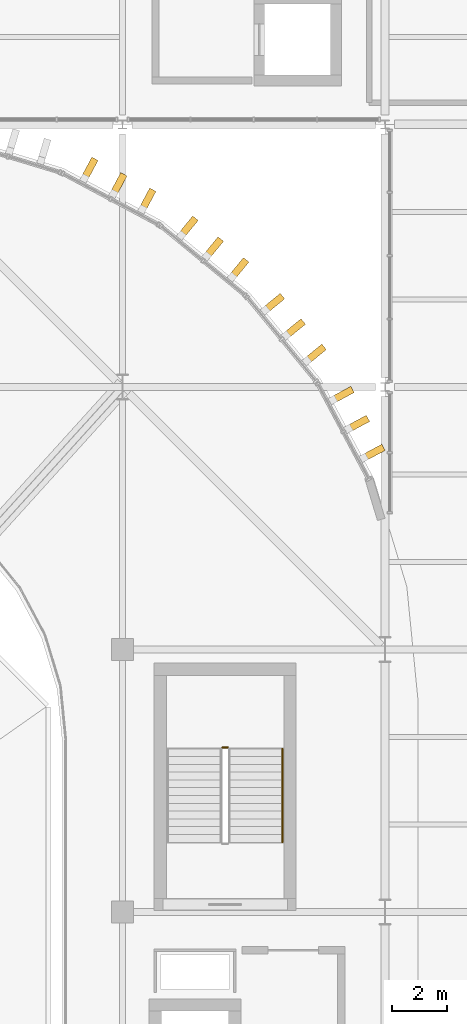
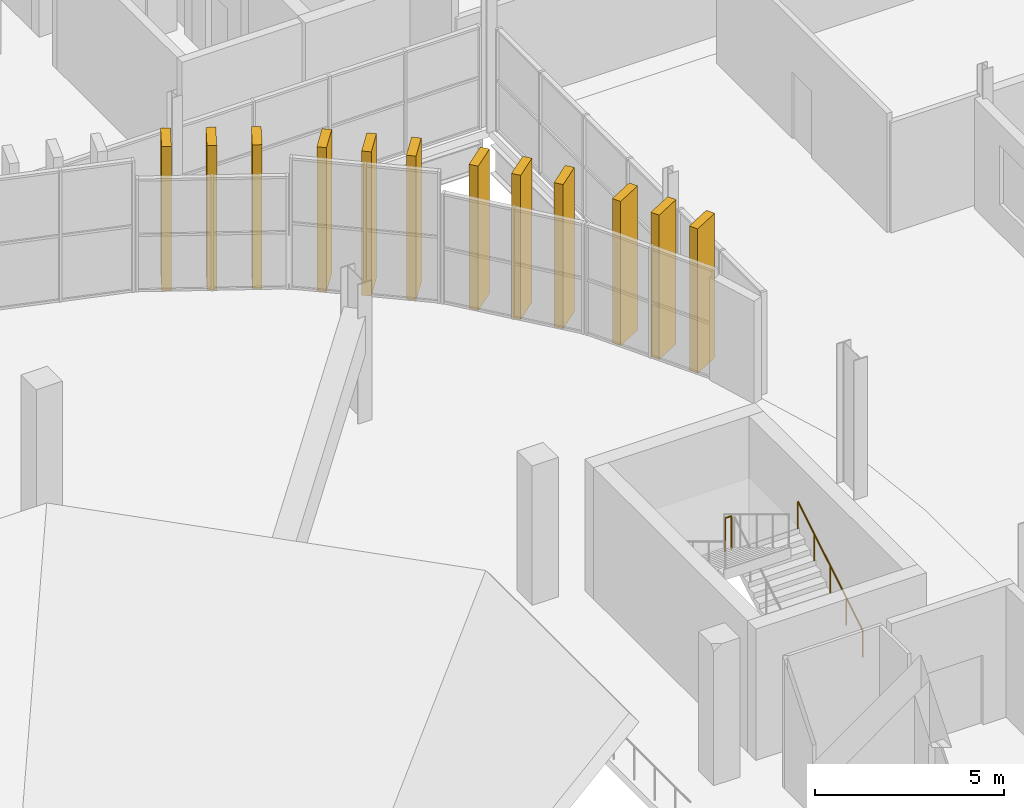
# One storey, part 67 of 69: 12 coverings, 2 railings.
"""IFC4 building model written with IfcOpenShell, lengths in metres."""

from ifc_helpers import new_model, si_unit, direction, frame, origin, origin_2d, place, context, subcontext, project, spatial, rectangle, circle, extrude, material, material_profile, profile_set, type_object, element, save


model = new_model("IFC4")

# Units and contexts
model_context = context("Model", 3, precision=1e-05, world=origin(), true_north=direction((0.0, 1.0)))
body_context = subcontext(model_context, "Body", "Model", "MODEL_VIEW")
ifc_project = project(units=[si_unit("LENGTHUNIT", "METRE"), si_unit("AREAUNIT", "SQUARE_METRE"), si_unit("VOLUMEUNIT", "CUBIC_METRE"), si_unit("PLANEANGLEUNIT", "RADIAN"), si_unit("MASSUNIT", "GRAM", prefix="KILO")], contexts=[model_context])

# Site, building, storey
site_placement = place(None, origin())
site = spatial("IfcSite", under=ifc_project, at=site_placement, CompositionType="ELEMENT")
building_placement = place(site_placement, origin())
building = spatial("IfcBuilding", under=site, at=building_placement, Name="Caelomonte Colonnade Arena", CompositionType="ELEMENT")
storey_placement = place(building_placement, frame((0.0, 0.0, 18.60009765625)))
storey = spatial("IfcBuildingStorey", under=building, at=storey_placement, Name="L04", CompositionType="ELEMENT", Elevation=18.60009765625)

# Coverings
ifc_material_1 = material(Name="Precast travertine cladding", Category="masonry")
ifc_material_profile = material_profile(ifc_material_1, rectangle(XDim=0.260009765625, YDim=0.85009765625, at=origin_2d()), Name="FIN260X850")
ifc_profile_set = profile_set([ifc_material_profile], Name="Precast travertine cladding")
covering_type = type_object("IfcCoveringType", Name="ENV-FN-SHAFT", PredefinedType="CLADDING", material=ifc_profile_set)
for number, where, z_axis, x_axis, name in (
    (1, (162.768310546875, 103.19189453125, -0.16015625), (0.0, 0.0, 1.0), (0.471396736826, -0.881921264348, 0.0), "V1 L04 classical travertine vertical fin 75"),
    (2, (162.202392578125, 104.250244140625, -0.16015625), (0.0, 0.0, 1.0), (0.471396736826, -0.881921264348, 0.0), "V1 L04 classical travertine vertical fin 76"),
    (3, (161.63671875, 105.30859375, -0.16015625), (0.0, 0.0, 1.0), (0.471396736826, -0.881921264348, 0.0), "V1 L04 classical travertine vertical fin 77"),
    (4, (160.641845703125, 106.797607421875, -0.16015625), (0.0, 0.0, 1.0), (0.634413521313, -0.77299384472, 0.0), "V1 L04 classical travertine vertical fin 78"),
    (5, (159.880615234375, 107.72509765625, -0.16015625), (0.0, 0.0, 1.0), (0.634413521313, -0.77299384472, 0.0), "V1 L04 classical travertine vertical fin 79"),
    (6, (159.119140625, 108.65283203125, -0.16015625), (0.0, 0.0, 1.0), (0.634413521313, -0.77299384472, 0.0), "V1 L04 classical travertine vertical fin 80"),
    (7, (157.852783203125, 109.919189453125, -0.16015625), (0.0, 0.0, 1.0), (0.77299384472, -0.634413521313, 0.0), "V1 L04 classical travertine vertical fin 81"),
    (8, (156.92529296875, 110.680419921875, -0.16015625), (0.0, 0.0, 1.0), (0.77299384472, -0.634413521313, 0.0), "V1 L04 classical travertine vertical fin 82"),
    (9, (155.99755859375, 111.44189453125, -0.16015625), (0.0, 0.0, 1.0), (0.77299384472, -0.634413521313, 0.0), "V1 L04 classical travertine vertical fin 83"),
    (10, (154.508544921875, 112.436767578125, -0.16015625), (0.0, 0.0, 1.0), (0.881921264348, -0.471396736826, 0.0), "V1 L04 classical travertine vertical fin 84"),
    (11, (153.4501953125, 113.00244140625, -0.16015625), (0.0, 0.0, 1.0), (0.881921264348, -0.471396736826, 0.0), "V1 L04 classical travertine vertical fin 85"),
    (12, (152.391845703125, 113.568115234375, -0.16015625), (0.0, 0.0, 1.0), (0.881921264348, -0.471396736826, 0.0), "V1 L04 classical travertine vertical fin 86"),
):
    element("IfcCovering", number, at=place(storey_placement, frame(where, z_axis=z_axis, x_axis=x_axis)), inside=storey, type_object=covering_type, Name=name, PredefinedType="CLADDING", context=body_context, shape_type="SweptSolid", body=[
        extrude(rectangle(XDim=0.260009765625, YDim=0.85009765625, at=origin_2d()), origin(), (0.0, 0.0, 1.0), 4.66015625),
    ])

# Railings
ifc_material_2 = material(Name="Painted galvanized steel stair guard", Category="steel")
railing_type_1 = type_object("IfcRailingType", Name="INT-RL-GRD", PredefinedType="GUARDRAIL", material=ifc_material_2)
railing_1_placement = place(storey_placement, frame((157.449951171875, 92.419921875, 2.25)))
element("IfcRailing", 13, at=railing_1_placement, inside=storey, type_object=railing_type_1, Name="L04 ST-03 stair guard 2", PredefinedType="GUARDRAIL", context=body_context, shape_type="SweptSolid", body=[
    extrude(circle(Radius=0.02392578125, at=origin_2d()), frame((0.0, 0.0, 1.076171875), z_axis=(-1.0, 0.0, 0.0), x_axis=(0.0, -1.0, 0.0)), (0.0, 0.0, 1.0), 0.199951171875),
    extrude(circle(Radius=0.02099609375, at=origin_2d()), origin(), (0.0, 0.0, 1.0), 1.048095703125),
    extrude(circle(Radius=0.02099609375, at=origin_2d()), frame((-0.199951171875, 0.0, 0.0)), (0.0, 0.0, 1.0), 1.048095703125),
])
ifc_material_3 = material(Name="Brushed stainless steel stair handrail", Category="steel")
railing_type_2 = type_object("IfcRailingType", Name="INT-RL-HR", PredefinedType="HANDRAIL", material=ifc_material_3)
railing_2_placement = place(storey_placement, frame((159.449951171875, 88.949951171875, 0.173095703125)))
element("IfcRailing", 14, at=railing_2_placement, inside=storey, type_object=railing_type_2, Name="L04 ST-03 stair handrail 1", PredefinedType="HANDRAIL", context=body_context, shape_type="SweptSolid", body=[
    extrude(circle(Radius=0.02392578125, at=origin_2d()), frame((0.0, 0.0, 0.8759765625), z_axis=(0.0, 0.854745945586, 0.519046595696), x_axis=(-1.0, 0.0, 0.0)), (0.0, 0.0, 1.0), 4.00146484375),
    extrude(circle(Radius=0.02099609375, at=origin_2d()), origin(), (0.0, 0.0, 1.0), 0.847900390625),
    extrude(circle(Radius=0.02099609375, at=origin_2d()), frame((0.0, 0.85498046875, 0.519287109375)), (0.0, 0.0, 1.0), 0.847900390625),
    extrude(circle(Radius=0.02099609375, at=origin_2d()), frame((0.0, 1.7099609375, 1.03857421875)), (0.0, 0.0, 1.0), 0.847900390625),
    extrude(circle(Radius=0.02099609375, at=origin_2d()), frame((0.0, 2.565185546875, 1.5576171875)), (0.0, 0.0, 1.0), 0.847900390625),
    extrude(circle(Radius=0.02099609375, at=origin_2d()), frame((0.0, 3.420166015625, 2.076904296875)), (0.0, 0.0, 1.0), 0.847900390625),
])

save(model, "model.ifc")
